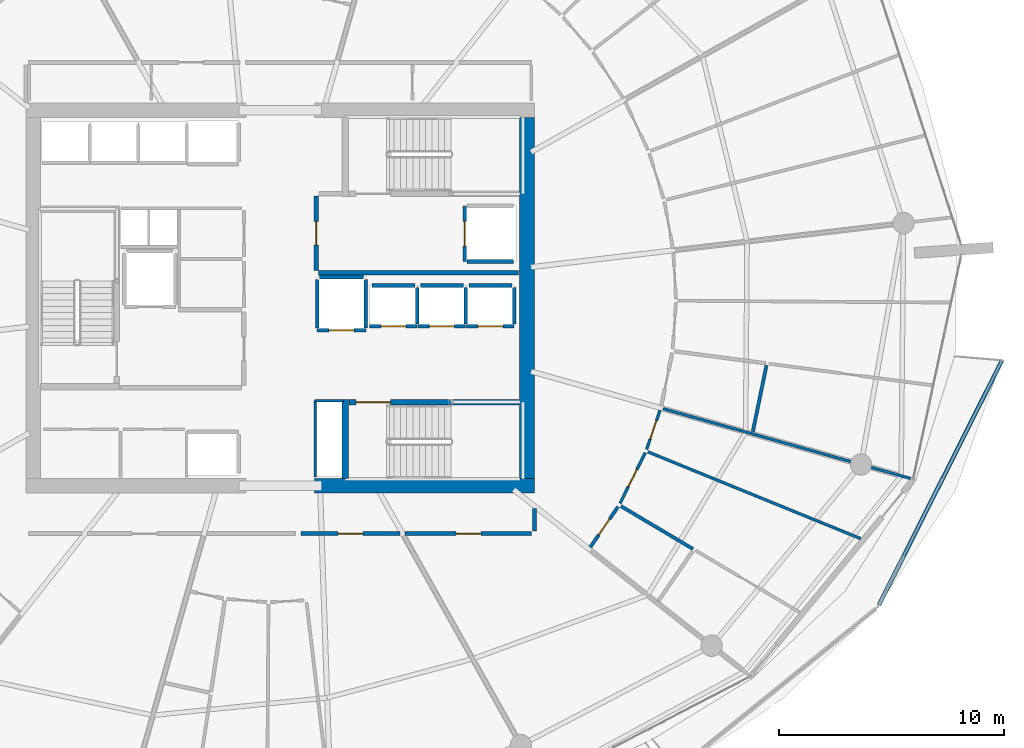
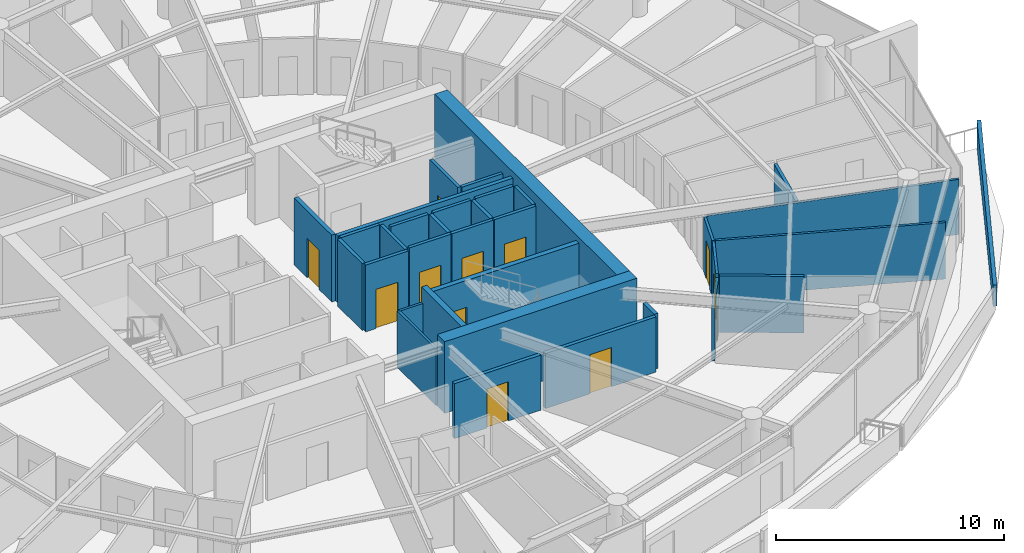
# One storey, part 20 of 30: 34 walls, 12 doors, 12 openings.
"""IFC4 building model written with IfcOpenShell, lengths in metres."""

import ifcopenshell
import ifcopenshell.guid

model = None  # the IFC model being written
_history = None  # IfcOwnerHistory: only IFC2X3 demands one
_inside = {}  # id of a spatial element -> (the spatial element, [elements in it])
_under = {}  # id of a project, library or spatial element -> (it, [spatial elements below it])
_declared = {}  # id of a project -> (the project, [libraries it declares])
_typed = {}  # id of a type object -> (the type object, [elements of that type])
_made_of = {}  # id of a material, layer set ... -> (it, [elements and type objects made of it])


def new_model(schema):
    """Start an empty IFC model of exactly this schema.

    Asked for "IFC4X3", IfcOpenShell would pick the latest addendum, in which some entities
    have other attributes; the version numbers below select the first issue.
    IFC2X3 requires an IfcOwnerHistory on every rooted entity: one is made here for all.
    """
    global model, _history
    if schema == "IFC4X3":
        model = ifcopenshell.file(schema_version=(4, 3, 0, 0))
    else:
        model = ifcopenshell.file(schema=schema)
    _inside.clear()
    _under.clear()
    _declared.clear()
    _typed.clear()
    _made_of.clear()
    _history = None
    if model.schema == "IFC2X3":
        org = make("IfcOrganization", Name="unknown")
        user = make(
            "IfcPersonAndOrganization",
            ThePerson=make("IfcPerson", FamilyName="unknown"),
            TheOrganization=org,
        )
        app = make(
            "IfcApplication",
            ApplicationDeveloper=org,
            Version="unknown",
            ApplicationFullName="unknown",
            ApplicationIdentifier="unknown",
        )
        _history = make(
            "IfcOwnerHistory",
            OwningUser=user,
            OwningApplication=app,
            ChangeAction="ADDED",
            CreationDate=0,
        )
    return model


def make(cls, **values):
    """One entity of the class cls with the attributes given. An attribute that is None is left unset."""
    return model.create_entity(
        cls, **{name: value for name, value in values.items() if value is not None}
    )


def rooted(cls, **values):
    """An entity with a GlobalId (a new one), such as an element, a storey or a relation."""
    return make(cls, GlobalId=ifcopenshell.guid.new(), OwnerHistory=_history, **values)


def si_unit(unit_type, name, prefix=None):
    """IfcSIUnit, for example si_unit("LENGTHUNIT", "METRE", prefix="MILLI")."""
    return make("IfcSIUnit", UnitType=unit_type, Prefix=prefix, Name=name)


def assignment(units):
    """IfcUnitAssignment: the units of a project."""
    return None if units is None else make("IfcUnitAssignment", Units=units)


def point(xyz):
    """IfcCartesianPoint."""
    return None if xyz is None else make("IfcCartesianPoint", Coordinates=xyz)


def direction(xyz):
    """IfcDirection."""
    return None if xyz is None else make("IfcDirection", DirectionRatios=xyz)


def frame(location, z_axis=None, x_axis=None):
    """IfcAxis2Placement3D, a coordinate frame: its origin and axes. An axis left out is left unset."""
    return make(
        "IfcAxis2Placement3D",
        Location=point(location),
        Axis=direction(z_axis),
        RefDirection=direction(x_axis),
    )


def frame_2d(location, x_axis=None):
    """IfcAxis2Placement2D, a coordinate frame in the plane: its origin and x axis."""
    return make(
        "IfcAxis2Placement2D", Location=point(location), RefDirection=direction(x_axis)
    )


def origin():
    """The frame at (0, 0, 0) with its axes left unset."""
    return frame((0.0, 0.0, 0.0))


def place(relative_to, where):
    """IfcLocalPlacement: puts the frame where relative to a parent placement (None: the world)."""
    return make(
        "IfcLocalPlacement", PlacementRelTo=relative_to, RelativePlacement=where
    )


def context(
    kind, dimensions, precision=None, world=None, true_north=None, identifier=None
):
    """IfcGeometricRepresentationContext, for example the 3D "Model" context."""
    return make(
        "IfcGeometricRepresentationContext",
        ContextIdentifier=identifier,
        ContextType=kind,
        CoordinateSpaceDimension=dimensions,
        Precision=precision,
        WorldCoordinateSystem=world,
        TrueNorth=true_north,
    )


def subcontext(parent, identifier, kind, view, scale=None):
    """IfcGeometricRepresentationSubContext, for example "Body" below "Model"."""
    return make(
        "IfcGeometricRepresentationSubContext",
        ContextIdentifier=identifier,
        ContextType=kind,
        ParentContext=parent,
        TargetScale=scale,
        TargetView=view,
    )


def project(units=None, contexts=None):
    """IfcProject with its units and contexts."""
    return rooted(
        "IfcProject",
        Name="project",
        RepresentationContexts=contexts,
        UnitsInContext=assignment(units),
    )


def spatial(cls, under=None, at=None, **own):
    """A site, building, storey or space (cls), placed at a placement, below another one or the project."""
    s = rooted(cls, ObjectPlacement=at, **own)
    if under is not None:
        _under.setdefault(under.id(), (under, []))[1].append(s)
    return s


def polyline(points):
    """IfcPolyline through the points."""
    return make("IfcPolyline", Points=[point(p) for p in points])


def profile(cls, at=None, kind="AREA", **sizes):
    """A parametric profile (cls). Its sizes go by their IFC names, for example OverallWidth=200.0."""
    return make(cls, ProfileType=kind, Position=at, **sizes)


def rectangle(**sizes):
    """IfcRectangleProfileDef."""
    return profile("IfcRectangleProfileDef", **sizes)


def outline(outer, holes=None, kind="AREA"):
    """IfcArbitraryClosedProfileDef: a profile drawn as a closed curve; with holes, ...WithVoids."""
    if holes is None:
        return make("IfcArbitraryClosedProfileDef", ProfileType=kind, OuterCurve=outer)
    return make(
        "IfcArbitraryProfileDefWithVoids",
        ProfileType=kind,
        OuterCurve=outer,
        InnerCurves=holes,
    )


def extrude(swept, where, along, depth):
    """IfcExtrudedAreaSolid: the profile swept, set in the frame where, extruded along a direction by depth."""
    return make(
        "IfcExtrudedAreaSolid",
        SweptArea=swept,
        Position=where,
        ExtrudedDirection=direction(along),
        Depth=depth,
    )


def shape(context_of_items, identifier, shape_type, items):
    """IfcShapeRepresentation: the items that make up one representation, for example the "Body"."""
    return make(
        "IfcShapeRepresentation",
        ContextOfItems=context_of_items,
        RepresentationIdentifier=identifier,
        RepresentationType=shape_type,
        Items=items,
    )


def material(Name=None, Category=None):
    """IfcMaterial."""
    return make("IfcMaterial", Name=Name, Category=Category)


def layer(
    of_material, thickness, ventilated=None, Name=None, Category=None, Priority=None
):
    """IfcMaterialLayer: one layer of a wall or slab, of a material (None: an air gap)."""
    return make(
        "IfcMaterialLayer",
        Material=of_material,
        LayerThickness=thickness,
        IsVentilated=ventilated,
        Name=Name,
        Category=Category,
        Priority=Priority,
    )


def layer_set(layers, Name=None):
    """IfcMaterialLayerSet."""
    return make("IfcMaterialLayerSet", MaterialLayers=layers, LayerSetName=Name)


def made_of(thing, what):
    """Note that an element or type object is made of a material, layer set ...; save() writes the relation."""
    if what is not None:
        _made_of.setdefault(what.id(), (what, []))[1].append(thing)
    return thing


def type_object(cls, material=None, **own):
    """A type object (cls), such as IfcWallType, which elements share."""
    return made_of(rooted(cls, **own), material)


def element(
    cls,
    number,
    at=None,
    inside=None,
    cuts=None,
    type_object=None,
    material=None,
    context=None,
    identifier="Body",
    shape_type=None,
    held_by="IfcProductDefinitionShape",
    body=None,
    shapes=None,
    **own,
):
    """One element of the class cls, such as IfcWall. Its Tag is "e" and its number.

    at: its placement. inside: the storey or other place that contains it. cuts: it is an
    opening in that element (IfcRelVoidsElement). A single representation is given by context,
    identifier, shape_type and body (its items); several are given by shapes. held_by: the class
    of the entity that holds the representations. save() writes the other relations.
    """
    e = rooted(cls, Tag="e%d" % number, ObjectPlacement=at, **own)
    if body is not None:
        shapes = [shape(context, identifier, shape_type, body)]
    if shapes is not None:
        e.Representation = make(held_by, Representations=shapes)
    if inside is not None:
        _inside.setdefault(inside.id(), (inside, []))[1].append(e)
    if cuts is not None:
        rooted(
            "IfcRelVoidsElement", RelatingBuildingElement=cuts, RelatedOpeningElement=e
        )
    if type_object is not None:
        _typed.setdefault(type_object.id(), (type_object, []))[1].append(e)
    return made_of(e, material)


def fill(opening, filler):
    """IfcRelFillsElement: the door or window that sits in an opening."""
    return rooted(
        "IfcRelFillsElement",
        RelatingOpeningElement=opening,
        RelatedBuildingElement=filler,
    )


def aggregate(whole, parts):
    """IfcRelAggregates: a whole, such as a stair, and the parts it consists of."""
    return rooted("IfcRelAggregates", RelatingObject=whole, RelatedObjects=parts)


def save(model, path):
    """Write the relations noted so far, then the file.

    IfcRelAggregates (storeys below a building ...), IfcRelContainedInSpatialStructure (elements
    in a storey), IfcRelDefinesByType, IfcRelAssociatesMaterial and IfcRelDeclares: one each for
    every whole, place, type object, material and project.
    """
    for whole, parts in _under.values():
        aggregate(whole, parts)
    for where, things in _inside.values():
        rooted(
            "IfcRelContainedInSpatialStructure",
            RelatedElements=things,
            RelatingStructure=where,
        )
    for kind, things in _typed.values():
        rooted("IfcRelDefinesByType", RelatedObjects=things, RelatingType=kind)
    for what, things in _made_of.values():
        rooted("IfcRelAssociatesMaterial", RelatedObjects=things, RelatingMaterial=what)
    for by, libraries in _declared.values():
        rooted("IfcRelDeclares", RelatingContext=by, RelatedDefinitions=libraries)
    model.write(path)


model = new_model("IFC4")

# Units and contexts
model_context = context("Model", 3, precision=1e-05, world=origin(), true_north=direction((0.0, 1.0)))
body_context = subcontext(model_context, "Body", "Model", "MODEL_VIEW")
ifc_project = project(units=[si_unit("LENGTHUNIT", "METRE"), si_unit("AREAUNIT", "SQUARE_METRE"), si_unit("VOLUMEUNIT", "CUBIC_METRE"), si_unit("PLANEANGLEUNIT", "RADIAN"), si_unit("MASSUNIT", "GRAM", prefix="KILO")], contexts=[model_context])

# Site, building, storey
site_placement = place(None, origin())
site = spatial("IfcSite", under=ifc_project, at=site_placement, CompositionType="ELEMENT")
building_placement = place(site_placement, origin())
building = spatial("IfcBuilding", under=site, at=building_placement, Name="Kazma Halo Residences", CompositionType="ELEMENT")
storey_placement = place(building_placement, frame((0.0, 0.0, 236.699951171875)))
storey = spatial("IfcBuildingStorey", under=building, at=storey_placement, Name="L59", CompositionType="ELEMENT", Elevation=236.699951171875)

# Walls
ifc_material_1 = material(Name="White Concrete C50/60 Balustrade", Category="concrete")
ifc_layer_1 = layer(ifc_material_1, 0.179931640625)
ifc_layer_set_1 = layer_set([ifc_layer_1], Name="White Concrete C50/60 Balustrade")
wall_type_1 = type_object("IfcWallType", Name="WL-BAL-WAVE-180", PredefinedType="PARAPET", material=ifc_layer_set_1)
wall_1_placement = place(storey_placement, frame((74.99072265625, 28.382080078125, 0.0), z_axis=(0.0, 0.0, 1.0), x_axis=(0.449276289184, 0.893392867655, 0.0)))
element("IfcWall", 1, at=wall_1_placement, inside=storey, type_object=wall_type_1, Name="L59 white wave balustrade wall SE.2", PredefinedType="PARAPET", context=body_context, shape_type="SweptSolid", body=[
    extrude(outline(polyline([(0.0, 0.0), (12.160400390625, 0.0), (12.160400390625, 1.483154296875), (6.080078125, 1.283935546875), (0.0, 1.14794921875), (0.0, 0.0)])), frame((0.0, 0.08984375, 0.0), z_axis=(0.0, -1.0, 0.0), x_axis=(1.0, 0.0, 0.0)), (0.0, 0.0, 1.0), 0.179931640625),
])
ifc_material_2 = material(Name="Concrete C60/75", Category="concrete")
ifc_layer_2 = layer(ifc_material_2, 0.64990234375)
ifc_layer_set_2 = layer_set([ifc_layer_2], Name="Concrete C60/75")
wall_type_2 = type_object("IfcWallType", Name="WL-CORE-650", PredefinedType="SHEAR", material=ifc_layer_set_2)
wall_2_placement = place(storey_placement, frame((49.949951171875, 33.675048828125, 0.0), z_axis=(0.0, 0.0, 1.0), x_axis=(1.0, 0.0, 0.0)))
element("IfcWall", 2, at=wall_2_placement, inside=storey, type_object=wall_type_2, Name="L59 central core shear wall SE", PredefinedType="SHEAR", context=body_context, shape_type="SweptSolid", body=[
    extrude(rectangle(XDim=9.75, YDim=0.64990234375, at=frame_2d((4.875, 0.0))), origin(), (0.0, 0.0, 1.0), 3.85009765625),
])
wall_3_placement = place(storey_placement, frame((59.375, 34.0, 0.0), z_axis=(0.0, 0.0, 1.0), x_axis=(0.0, 1.0, 0.0)))
element("IfcWall", 3, at=wall_3_placement, inside=storey, type_object=wall_type_2, Name="L59 central core shear wall E", PredefinedType="SHEAR", context=body_context, shape_type="SweptSolid", body=[
    extrude(rectangle(XDim=16.0, YDim=0.64990234375, at=frame_2d((8.0, 0.0))), origin(), (0.0, 0.0, 1.0), 3.85009765625),
])
ifc_layer_3 = layer(ifc_material_2, 0.280029296875)
ifc_layer_set_3 = layer_set([ifc_layer_3], Name="Concrete C60/75")
wall_type_3 = type_object("IfcWallType", Name="WL-CORE-ST-280", PredefinedType="SHEAR", material=ifc_layer_set_3)
wall_4_placement = place(storey_placement, frame((51.31005859375, 34.0, 0.0), z_axis=(0.0, 0.0, 1.0), x_axis=(0.0, 1.0, 0.0)))
element("IfcWall", 4, at=wall_4_placement, inside=storey, type_object=wall_type_3, Name="L59 stairwell bearing wall ST03-W", PredefinedType="SHEAR", context=body_context, shape_type="SweptSolid", body=[
    extrude(rectangle(XDim=3.5, YDim=0.280029296875, at=frame_2d((1.75, 0.0))), origin(), (0.0, 0.0, 1.0), 3.85009765625),
])

# Wall, opening, door
ifc_material_3 = material(Name="Acoustic Twin-Stud Gypsum")
ifc_layer_4 = layer(ifc_material_3, 0.179931640625)
ifc_layer_set_4 = layer_set([ifc_layer_4], Name="Acoustic Twin-Stud Gypsum")
wall_type_4 = type_object("IfcWallType", Name="WL-DEM-180", PredefinedType="PARTITIONING", material=ifc_layer_set_4)
wall_5_placement = place(storey_placement, frame((49.356689453125, 31.550048828125, 0.0), z_axis=(0.0, 0.0, 1.0), x_axis=(1.0, 0.0, 0.0)))
wall_5 = element("IfcWall", 5, at=wall_5_placement, inside=storey, type_object=wall_type_4, Name="L59 Apartment 3 entrance corridor wall", PredefinedType="PARTITIONING", context=body_context, shape_type="SweptSolid", body=[
    extrude(rectangle(XDim=4.375732421875, YDim=0.179931640625, at=frame_2d((2.18798828125, 0.0))), origin(), (0.0, 0.0, 1.0), 2.95703125),
])
opening_1_placement = place(wall_5_placement, frame((1.6376953125, 0.0, 0.0)))
opening_1 = element("IfcOpeningElement", 6, at=opening_1_placement, cuts=wall_5, Name="Opening DA-1100", PredefinedType="OPENING", context=body_context, shape_type="SweptSolid", body=[
    extrude(rectangle(XDim=1.10009765625, YDim=2.10009765625, at=frame_2d((0.550048828125, 1.050048828125))), frame((0.0, 0.099853515625, 0.0), z_axis=(0.0, -1.0, 0.0), x_axis=(1.0, 0.0, 0.0)), (0.0, 0.0, 1.0), 0.199951171875),
])
ifc_material_4 = material(Name="Acoustic Walnut Fire Leaf")
door_type_1 = type_object("IfcDoorType", Name="DR-FD60-1100", OperationType="NOTDEFINED", PredefinedType="DOOR", material=ifc_material_4)
door_1_placement = place(opening_1_placement, origin())
door_1 = element("IfcDoor", 7, at=door_1_placement, inside=storey, type_object=door_type_1, Name="L59 Apartment 3 entrance fire door", OperationType="SINGLE_SWING_LEFT", OverallHeight=2.10009765625, OverallWidth=1.10009765625, PredefinedType="DOOR", context=body_context, shape_type="SweptSolid", body=[
    extrude(rectangle(XDim=1.10009765625, YDim=2.10009765625, at=frame_2d((0.550048828125, 1.050048828125))), frame((0.0, 0.02490234375, 0.0), z_axis=(0.0, -1.0, 0.0), x_axis=(1.0, 0.0, 0.0)), (0.0, 0.0, 1.0), 0.050048828125),
])
fill(opening_1, door_1)

wall_6_placement = place(storey_placement, frame((53.972412109375, 31.550048828125, 0.0), z_axis=(0.0, 0.0, 1.0), x_axis=(1.0, 0.0, 0.0)))
wall_6 = element("IfcWall", 8, at=wall_6_placement, inside=storey, type_object=wall_type_4, Name="L59 Apartment 4 entrance corridor wall", PredefinedType="PARTITIONING", context=body_context, shape_type="SweptSolid", body=[
    extrude(rectangle(XDim=5.607666015625, YDim=0.179931640625, at=frame_2d((2.8037109375, 0.0))), origin(), (0.0, 0.0, 1.0), 2.95703125),
])
opening_2_placement = place(wall_6_placement, frame((2.25390625, 0.0, 0.0)))
opening_2 = element("IfcOpeningElement", 9, at=opening_2_placement, cuts=wall_6, Name="Opening DA-1100", PredefinedType="OPENING", context=body_context, shape_type="SweptSolid", body=[
    extrude(rectangle(XDim=1.10009765625, YDim=2.10009765625, at=frame_2d((0.550048828125, 1.050048828125))), frame((0.0, 0.099853515625, 0.0), z_axis=(0.0, -1.0, 0.0), x_axis=(1.0, 0.0, 0.0)), (0.0, 0.0, 1.0), 0.199951171875),
])
door_2_placement = place(opening_2_placement, origin())
door_2 = element("IfcDoor", 10, at=door_2_placement, inside=storey, type_object=door_type_1, Name="L59 Apartment 4 entrance fire door", OperationType="SINGLE_SWING_RIGHT", OverallHeight=2.10009765625, OverallWidth=1.10009765625, PredefinedType="DOOR", context=body_context, shape_type="SweptSolid", body=[
    extrude(rectangle(XDim=1.10009765625, YDim=2.10009765625, at=frame_2d((0.550048828125, 1.050048828125))), frame((0.0, 0.02490234375, 0.0), z_axis=(0.0, -1.0, 0.0), x_axis=(1.0, 0.0, 0.0)), (0.0, 0.0, 1.0), 0.050048828125),
])
fill(opening_2, door_2)

# Wall
wall_7_placement = place(storey_placement, frame((59.699951171875, 31.669921875, 0.0), z_axis=(0.0, 0.0, 1.0), x_axis=(0.0, 1.0, 0.0)))
element("IfcWall", 11, at=wall_7_placement, inside=storey, type_object=wall_type_4, Name="L59 Apartment 4 entrance corridor wall", PredefinedType="PARTITIONING", context=body_context, shape_type="SweptSolid", body=[
    extrude(rectangle(XDim=0.986572265625, YDim=0.179931640625, at=frame_2d((0.4931640625, 0.0))), origin(), (0.0, 0.0, 1.0), 2.95703125),
])

# Wall, opening, door
ifc_material_5 = material(Name="Fire-Rated Blockwork Masonry", Category="masonry")
ifc_layer_5 = layer(ifc_material_5, 0.199951171875)
ifc_layer_set_5 = layer_set([ifc_layer_5], Name="Fire-Rated Blockwork Masonry")
wall_type_5 = type_object("IfcWallType", Name="WL-FLB-200", PredefinedType="PARTITIONING", material=ifc_layer_set_5)
wall_8_placement = place(storey_placement, frame((54.5048828125, 40.7451171875, 0.0), z_axis=(0.0, 0.0, 1.0), x_axis=(-1.0, 0.0, 0.0)))
wall_8 = element("IfcWall", 12, at=wall_8_placement, inside=storey, type_object=wall_type_5, Name="L59 lift shaft PH-01 front wall", PredefinedType="PARTITIONING", context=body_context, shape_type="SweptSolid", body=[
    extrude(rectangle(XDim=2.10986328125, YDim=0.159912109375, at=frame_2d((1.054931640625, 0.0))), origin(), (0.0, 0.0, 1.0), 3.590087890625),
])
opening_3_placement = place(wall_8_placement, frame((0.5048828125, 0.0, 0.0)))
opening_3 = element("IfcOpeningElement", 13, at=opening_3_placement, cuts=wall_8, Name="Opening LD-PH-01", PredefinedType="OPENING", context=body_context, shape_type="SweptSolid", body=[
    extrude(rectangle(XDim=1.10009765625, YDim=2.10009765625, at=frame_2d((0.550048828125, 1.050048828125))), frame((0.0, 0.08984375, 0.0), z_axis=(0.0, -1.0, 0.0), x_axis=(1.0, 0.0, 0.0)), (0.0, 0.0, 1.0), 0.179931640625),
])
ifc_material_6 = material(Name="Stainless Steel Fire-Rated", Category="steel")
door_type_2 = type_object("IfcDoorType", Name="DR-LIFT-SLD-1100", OperationType="DOUBLE_DOOR_SLIDING", PredefinedType="DOOR", material=ifc_material_6)
door_3_placement = place(opening_3_placement, origin())
door_3 = element("IfcDoor", 14, at=door_3_placement, inside=storey, type_object=door_type_2, Name="L59 lift PH-01 sliding landing door", OperationType="DOUBLE_DOOR_SLIDING", OverallHeight=2.10009765625, OverallWidth=1.10009765625, PredefinedType="DOOR", context=body_context, shape_type="SweptSolid", body=[
    extrude(rectangle(XDim=1.10009765625, YDim=2.10009765625, at=frame_2d((0.550048828125, 1.050048828125))), frame((0.0, 0.02490234375, 0.0), z_axis=(0.0, -1.0, 0.0), x_axis=(1.0, 0.0, 0.0)), (0.0, 0.0, 1.0), 0.050048828125),
])
fill(opening_3, door_3)

# Walls
wall_9_placement = place(storey_placement, frame((54.5048828125, 40.844970703125, 0.0), z_axis=(0.0, 0.0, 1.0), x_axis=(0.0, 1.0, 0.0)))
element("IfcWall", 15, at=wall_9_placement, inside=storey, type_object=wall_type_5, Name="L59 lift shaft PH-01 side wall E", PredefinedType="PARTITIONING", context=body_context, shape_type="SweptSolid", body=[
    extrude(rectangle(XDim=1.610107421875, YDim=0.159912109375, at=frame_2d((0.80517578125, 0.0))), origin(), (0.0, 0.0, 1.0), 3.590087890625),
])
wall_10_placement = place(storey_placement, frame((52.4951171875, 42.554931640625, 0.0), z_axis=(0.0, 0.0, 1.0), x_axis=(1.0, 0.0, 0.0)))
element("IfcWall", 16, at=wall_10_placement, inside=storey, type_object=wall_type_5, Name="L59 lift shaft PH-01 side wall N", PredefinedType="PARTITIONING", context=body_context, shape_type="SweptSolid", body=[
    extrude(rectangle(XDim=1.909912109375, YDim=0.159912109375, at=frame_2d((0.955078125, 0.0))), origin(), (0.0, 0.0, 1.0), 3.590087890625),
])

# Wall, opening, door
wall_11_placement = place(storey_placement, frame((56.655029296875, 40.7451171875, 0.0), z_axis=(0.0, 0.0, 1.0), x_axis=(-1.0, 0.0, 0.0)))
wall_11 = element("IfcWall", 17, at=wall_11_placement, inside=storey, type_object=wall_type_5, Name="L59 lift shaft PH-02 front wall", PredefinedType="PARTITIONING", context=body_context, shape_type="SweptSolid", body=[
    extrude(rectangle(XDim=2.110107421875, YDim=0.159912109375, at=frame_2d((1.05517578125, 0.0))), origin(), (0.0, 0.0, 1.0), 3.590087890625),
])
opening_4_placement = place(wall_11_placement, frame((0.5048828125, 0.0, 0.0)))
opening_4 = element("IfcOpeningElement", 18, at=opening_4_placement, cuts=wall_11, Name="Opening LD-PH-02", PredefinedType="OPENING", context=body_context, shape_type="SweptSolid", body=[
    extrude(rectangle(XDim=1.10009765625, YDim=2.10009765625, at=frame_2d((0.550048828125, 1.050048828125))), frame((0.0, 0.08984375, 0.0), z_axis=(0.0, -1.0, 0.0), x_axis=(1.0, 0.0, 0.0)), (0.0, 0.0, 1.0), 0.179931640625),
])
door_4_placement = place(opening_4_placement, origin())
door_4 = element("IfcDoor", 19, at=door_4_placement, inside=storey, type_object=door_type_2, Name="L59 lift PH-02 sliding landing door", OperationType="DOUBLE_DOOR_SLIDING", OverallHeight=2.10009765625, OverallWidth=1.10009765625, PredefinedType="DOOR", context=body_context, shape_type="SweptSolid", body=[
    extrude(rectangle(XDim=1.10009765625, YDim=2.10009765625, at=frame_2d((0.550048828125, 1.050048828125))), frame((0.0, 0.02490234375, 0.0), z_axis=(0.0, -1.0, 0.0), x_axis=(1.0, 0.0, 0.0)), (0.0, 0.0, 1.0), 0.050048828125),
])
fill(opening_4, door_4)

# Walls
wall_12_placement = place(storey_placement, frame((56.655029296875, 40.844970703125, 0.0), z_axis=(0.0, 0.0, 1.0), x_axis=(0.0, 1.0, 0.0)))
element("IfcWall", 20, at=wall_12_placement, inside=storey, type_object=wall_type_5, Name="L59 lift shaft PH-02 side wall E", PredefinedType="PARTITIONING", context=body_context, shape_type="SweptSolid", body=[
    extrude(rectangle(XDim=1.610107421875, YDim=0.159912109375, at=frame_2d((0.80517578125, 0.0))), origin(), (0.0, 0.0, 1.0), 3.590087890625),
])
wall_13_placement = place(storey_placement, frame((54.64501953125, 42.554931640625, 0.0), z_axis=(0.0, 0.0, 1.0), x_axis=(1.0, 0.0, 0.0)))
element("IfcWall", 21, at=wall_13_placement, inside=storey, type_object=wall_type_5, Name="L59 lift shaft PH-02 side wall N", PredefinedType="PARTITIONING", context=body_context, shape_type="SweptSolid", body=[
    extrude(rectangle(XDim=1.909912109375, YDim=0.159912109375, at=frame_2d((0.955078125, 0.0))), origin(), (0.0, 0.0, 1.0), 3.590087890625),
])

# Wall, opening, door
wall_14_placement = place(storey_placement, frame((58.804931640625, 40.7451171875, 0.0), z_axis=(0.0, 0.0, 1.0), x_axis=(-1.0, 0.0, 0.0)))
wall_14 = element("IfcWall", 22, at=wall_14_placement, inside=storey, type_object=wall_type_5, Name="L59 lift shaft PH-03 front wall", PredefinedType="PARTITIONING", context=body_context, shape_type="SweptSolid", body=[
    extrude(rectangle(XDim=2.10986328125, YDim=0.159912109375, at=frame_2d((1.054931640625, 0.0))), origin(), (0.0, 0.0, 1.0), 3.590087890625),
])
opening_5_placement = place(wall_14_placement, frame((0.5048828125, 0.0, 0.0)))
opening_5 = element("IfcOpeningElement", 23, at=opening_5_placement, cuts=wall_14, Name="Opening LD-PH-03", PredefinedType="OPENING", context=body_context, shape_type="SweptSolid", body=[
    extrude(rectangle(XDim=1.10009765625, YDim=2.10009765625, at=frame_2d((0.550048828125, 1.050048828125))), frame((0.0, 0.08984375, 0.0), z_axis=(0.0, -1.0, 0.0), x_axis=(1.0, 0.0, 0.0)), (0.0, 0.0, 1.0), 0.179931640625),
])
door_5_placement = place(opening_5_placement, origin())
door_5 = element("IfcDoor", 24, at=door_5_placement, inside=storey, type_object=door_type_2, Name="L59 lift PH-03 sliding landing door", OperationType="DOUBLE_DOOR_SLIDING", OverallHeight=2.10009765625, OverallWidth=1.10009765625, PredefinedType="DOOR", context=body_context, shape_type="SweptSolid", body=[
    extrude(rectangle(XDim=1.10009765625, YDim=2.10009765625, at=frame_2d((0.550048828125, 1.050048828125))), frame((0.0, 0.02490234375, 0.0), z_axis=(0.0, -1.0, 0.0), x_axis=(1.0, 0.0, 0.0)), (0.0, 0.0, 1.0), 0.050048828125),
])
fill(opening_5, door_5)

# Walls
wall_15_placement = place(storey_placement, frame((58.804931640625, 40.844970703125, 0.0), z_axis=(0.0, 0.0, 1.0), x_axis=(0.0, 1.0, 0.0)))
element("IfcWall", 25, at=wall_15_placement, inside=storey, type_object=wall_type_5, Name="L59 lift shaft PH-03 side wall E", PredefinedType="PARTITIONING", context=body_context, shape_type="SweptSolid", body=[
    extrude(rectangle(XDim=1.610107421875, YDim=0.159912109375, at=frame_2d((0.80517578125, 0.0))), origin(), (0.0, 0.0, 1.0), 3.590087890625),
])
wall_16_placement = place(storey_placement, frame((56.794921875, 42.554931640625, 0.0), z_axis=(0.0, 0.0, 1.0), x_axis=(1.0, 0.0, 0.0)))
element("IfcWall", 26, at=wall_16_placement, inside=storey, type_object=wall_type_5, Name="L59 lift shaft PH-03 side wall N", PredefinedType="PARTITIONING", context=body_context, shape_type="SweptSolid", body=[
    extrude(rectangle(XDim=1.91015625, YDim=0.159912109375, at=frame_2d((0.955078125, 0.0))), origin(), (0.0, 0.0, 1.0), 3.590087890625),
])

# Wall, opening, door
wall_17_placement = place(storey_placement, frame((56.6201171875, 46.080078125, 0.0), z_axis=(0.0, 0.0, 1.0), x_axis=(0.0, -1.0, 0.0)))
wall_17 = element("IfcWall", 27, at=wall_17_placement, inside=storey, type_object=wall_type_5, Name="L59 lift shaft FL-02 front wall", PredefinedType="PARTITIONING", context=body_context, shape_type="SweptSolid", body=[
    extrude(rectangle(XDim=2.4599609375, YDim=0.159912109375, at=frame_2d((1.22998046875, 0.0))), origin(), (0.0, 0.0, 1.0), 3.590087890625),
])
opening_6_placement = place(wall_17_placement, frame((0.679931640625, 0.0, 0.0)))
opening_6 = element("IfcOpeningElement", 28, at=opening_6_placement, cuts=wall_17, Name="Opening LD-FL-02", PredefinedType="OPENING", context=body_context, shape_type="SweptSolid", body=[
    extrude(rectangle(XDim=1.10009765625, YDim=2.10009765625, at=frame_2d((0.550048828125, 1.050048828125))), frame((0.0, 0.08984375, 0.0), z_axis=(0.0, -1.0, 0.0), x_axis=(1.0, 0.0, 0.0)), (0.0, 0.0, 1.0), 0.179931640625),
])
door_6_placement = place(opening_6_placement, origin())
door_6 = element("IfcDoor", 29, at=door_6_placement, inside=storey, type_object=door_type_2, Name="L59 lift FL-02 sliding landing door", OperationType="DOUBLE_DOOR_SLIDING", OverallHeight=2.10009765625, OverallWidth=1.10009765625, PredefinedType="DOOR", context=body_context, shape_type="SweptSolid", body=[
    extrude(rectangle(XDim=1.10009765625, YDim=2.10009765625, at=frame_2d((0.550048828125, 1.050048828125))), frame((0.0, 0.02490234375, 0.0), z_axis=(0.0, -1.0, 0.0), x_axis=(1.0, 0.0, 0.0)), (0.0, 0.0, 1.0), 0.050048828125),
])
fill(opening_6, door_6)

# Wall
wall_18_placement = place(storey_placement, frame((56.719970703125, 43.6201171875, 0.0), z_axis=(0.0, 0.0, 1.0), x_axis=(1.0, 0.0, 0.0)))
element("IfcWall", 30, at=wall_18_placement, inside=storey, type_object=wall_type_5, Name="L59 lift shaft FL-02 side wall S", PredefinedType="PARTITIONING", context=body_context, shape_type="SweptSolid", body=[
    extrude(rectangle(XDim=2.06005859375, YDim=0.159912109375, at=frame_2d((1.030029296875, 0.0))), origin(), (0.0, 0.0, 1.0), 3.590087890625),
])

# Wall, opening, door
wall_19_placement = place(storey_placement, frame((52.22998046875, 40.570068359375, 0.0), z_axis=(0.0, 0.0, 1.0), x_axis=(-1.0, 0.0, 0.0)))
wall_19 = element("IfcWall", 31, at=wall_19_placement, inside=storey, type_object=wall_type_5, Name="L59 lift shaft SV-01 front wall", PredefinedType="PARTITIONING", context=body_context, shape_type="SweptSolid", body=[
    extrude(rectangle(XDim=2.159912109375, YDim=0.159912109375, at=frame_2d((1.080078125, 0.0))), origin(), (0.0, 0.0, 1.0), 3.590087890625),
])
opening_7_placement = place(wall_19_placement, frame((0.530029296875, 0.0, 0.0)))
opening_7 = element("IfcOpeningElement", 32, at=opening_7_placement, cuts=wall_19, Name="Opening LD-SV-01", PredefinedType="OPENING", context=body_context, shape_type="SweptSolid", body=[
    extrude(rectangle(XDim=1.10009765625, YDim=2.10009765625, at=frame_2d((0.550048828125, 1.050048828125))), frame((0.0, 0.08984375, 0.0), z_axis=(0.0, -1.0, 0.0), x_axis=(1.0, 0.0, 0.0)), (0.0, 0.0, 1.0), 0.179931640625),
])
door_7_placement = place(opening_7_placement, origin())
door_7 = element("IfcDoor", 33, at=door_7_placement, inside=storey, type_object=door_type_2, Name="L59 lift SV-01 sliding landing door", OperationType="DOUBLE_DOOR_SLIDING", OverallHeight=2.10009765625, OverallWidth=1.10009765625, PredefinedType="DOOR", context=body_context, shape_type="SweptSolid", body=[
    extrude(rectangle(XDim=1.10009765625, YDim=2.10009765625, at=frame_2d((0.550048828125, 1.050048828125))), frame((0.0, 0.02490234375, 0.0), z_axis=(0.0, -1.0, 0.0), x_axis=(1.0, 0.0, 0.0)), (0.0, 0.0, 1.0), 0.050048828125),
])
fill(opening_7, door_7)

# Walls
for number, where, z_axis, x_axis, name in (
    (34, (52.22998046875, 40.669921875, 0.0), (0.0, 0.0, 1.0), (0.0, 1.0, 0.0), "L59 lift shaft SV-01 side wall E"),
    (35, (50.070068359375, 40.669921875, 0.0), (0.0, 0.0, 1.0), (0.0, 1.0, 0.0), "L59 lift shaft SV-01 side wall W"),
):
    element("IfcWall", number, at=place(storey_placement, frame(where, z_axis=z_axis, x_axis=x_axis)), inside=storey, type_object=wall_type_5, Name=name, PredefinedType="PARTITIONING", context=body_context, shape_type="SweptSolid", body=[
        extrude(rectangle(XDim=2.16015625, YDim=0.159912109375, at=frame_2d((1.080078125, 0.0))), origin(), (0.0, 0.0, 1.0), 3.590087890625),
    ])
wall_20_placement = place(storey_placement, frame((50.169921875, 42.929931640625, 0.0), z_axis=(0.0, 0.0, 1.0), x_axis=(1.0, 0.0, 0.0)))
element("IfcWall", 36, at=wall_20_placement, inside=storey, type_object=wall_type_5, Name="L59 lift shaft SV-01 side wall N", PredefinedType="PARTITIONING", context=body_context, shape_type="SweptSolid", body=[
    extrude(rectangle(XDim=1.9599609375, YDim=0.159912109375, at=frame_2d((0.97998046875, 0.0))), origin(), (0.0, 0.0, 1.0), 3.590087890625),
])
wall_21_placement = place(storey_placement, frame((50.1201171875, 43.1201171875, 0.0), z_axis=(0.0, 0.0, 1.0), x_axis=(1.0, 0.0, 0.0)))
element("IfcWall", 37, at=wall_21_placement, inside=storey, type_object=wall_type_5, Name="L59 east firefighting lobby south smoke wall", PredefinedType="PARTITIONING", context=body_context, shape_type="SweptSolid", body=[
    extrude(rectangle(XDim=8.8798828125, YDim=0.199951171875, at=frame_2d((4.43994140625, 0.0))), origin(), (0.0, 0.0, 1.0), 3.590087890625),
])

# Wall, opening, door
wall_22_placement = place(storey_placement, frame((50.02001953125, 43.219970703125, 0.0), z_axis=(0.0, 0.0, 1.0), x_axis=(0.0, 1.0, 0.0)))
wall_22 = element("IfcWall", 38, at=wall_22_placement, inside=storey, type_object=wall_type_5, Name="L59 east firefighting lobby smoke wall", PredefinedType="PARTITIONING", context=body_context, shape_type="SweptSolid", body=[
    extrude(rectangle(XDim=3.300048828125, YDim=0.199951171875, at=frame_2d((1.64990234375, 0.0))), origin(), (0.0, 0.0, 1.0), 3.590087890625),
])
opening_8_placement = place(wall_22_placement, frame((1.125, 0.0, 0.0)))
opening_8 = element("IfcOpeningElement", 39, at=opening_8_placement, cuts=wall_22, Name="Opening D-FLE", PredefinedType="OPENING", context=body_context, shape_type="SweptSolid", body=[
    extrude(rectangle(XDim=1.050048828125, YDim=2.10009765625, at=frame_2d((0.52490234375, 1.050048828125))), frame((0.0, 0.10986328125, 0.0), z_axis=(0.0, -1.0, 0.0), x_axis=(1.0, 0.0, 0.0)), (0.0, 0.0, 1.0), 0.219970703125),
])
ifc_material_7 = material(Name="Fire-Rated Steel Leaf", Category="steel")
door_type_3 = type_object("IfcDoorType", Name="DR-FD90-1050", OperationType="NOTDEFINED", PredefinedType="DOOR", material=ifc_material_7)
door_8_placement = place(opening_8_placement, origin())
door_8 = element("IfcDoor", 40, at=door_8_placement, inside=storey, type_object=door_type_3, Name="L59 east firefighting lobby smoke door", OperationType="SINGLE_SWING_LEFT", OverallHeight=2.10009765625, OverallWidth=1.050048828125, PredefinedType="DOOR", context=body_context, shape_type="SweptSolid", body=[
    extrude(rectangle(XDim=1.050048828125, YDim=2.10009765625, at=frame_2d((0.52490234375, 1.050048828125))), frame((0.0, 0.02490234375, 0.0), z_axis=(0.0, -1.0, 0.0), x_axis=(1.0, 0.0, 0.0)), (0.0, 0.0, 1.0), 0.050048828125),
])
fill(opening_8, door_8)

# Walls
ifc_material_8 = material(Name="Gypsum Plasterboard Partition")
ifc_layer_6 = layer(ifc_material_8, 0.125)
ifc_layer_set_6 = layer_set([ifc_layer_6], Name="Gypsum Plasterboard Partition")
wall_type_6 = type_object("IfcWallType", Name="WL-PART-125", PredefinedType="PARTITIONING", material=ifc_layer_set_6)
wall_23_placement = place(storey_placement, frame((49.97998046875, 34.06005859375, 0.0), z_axis=(0.0, 0.0, 1.0), x_axis=(0.0, 1.0, 0.0)))
element("IfcWall", 41, at=wall_23_placement, inside=storey, type_object=wall_type_6, Name="L59 standpipe riser wall", PredefinedType="PARTITIONING", context=body_context, shape_type="SweptSolid", body=[
    extrude(rectangle(XDim=3.39990234375, YDim=0.125, at=frame_2d((1.699951171875, 0.0))), origin(), (0.0, 0.0, 1.0), 3.030029296875),
])
wall_24_placement = place(storey_placement, frame((49.97998046875, 37.43994140625, 0.0), z_axis=(0.0, 0.0, 1.0), x_axis=(1.0, 0.0, 0.0)))
element("IfcWall", 42, at=wall_24_placement, inside=storey, type_object=wall_type_6, Name="L59 standpipe riser north wall", PredefinedType="PARTITIONING", context=body_context, shape_type="SweptSolid", body=[
    extrude(rectangle(XDim=1.260009765625, YDim=0.125, at=frame_2d((0.6298828125, 0.0))), origin(), (0.0, 0.0, 1.0), 3.030029296875),
])
wall_25_placement = place(storey_placement, frame((64.73876953125, 35.174560546875, 0.0), z_axis=(0.0, 0.0, 1.0), x_axis=(0.925973616351, -0.377588217271, 0.0)))
element("IfcWall", 43, at=wall_25_placement, inside=storey, type_object=wall_type_6, Name="L59 Apartment 4 suite divider 13", PredefinedType="PARTITIONING", context=body_context, shape_type="SweptSolid", body=[
    extrude(rectangle(XDim=10.194580078125, YDim=0.125, at=frame_2d((5.09716796875, 0.0))), origin(), (0.0, 0.0, 1.0), 3.030029296875),
])

# Wall, opening, door
wall_26_placement = place(storey_placement, frame((63.50439453125, 32.89404296875, 0.0), z_axis=(0.0, 0.0, 1.0), x_axis=(0.445302327012, 0.89538027539, 0.0)))
wall_26 = element("IfcWall", 44, at=wall_26_placement, inside=storey, type_object=wall_type_6, Name="L59 Apartment 4 Gourmet Kitchen hall wall", PredefinedType="PARTITIONING", context=body_context, shape_type="SweptSolid", body=[
    extrude(rectangle(XDim=2.5048828125, YDim=0.125, at=frame_2d((1.25244140625, 0.0))), origin(), (0.0, 0.0, 1.0), 3.030029296875),
])
opening_9_placement = place(wall_26_placement, frame((0.827392578125, 0.0, 0.0)))
opening_9 = element("IfcOpeningElement", 45, at=opening_9_placement, cuts=wall_26, Name="Opening DB-900", PredefinedType="OPENING", context=body_context, shape_type="SweptSolid", body=[
    extrude(rectangle(XDim=0.85009765625, YDim=2.06005859375, at=frame_2d((0.425048828125, 1.030029296875))), frame((0.0, 0.072509765625, 0.0), z_axis=(0.0, -1.0, 0.0), x_axis=(1.0, 0.0, 0.0)), (0.0, 0.0, 1.0), 0.14501953125),
])
ifc_material_9 = material(Name="Moisture-Sealed Timber Leaf", Category="wood")
door_type_4 = type_object("IfcDoorType", Name="DR-BTH-900", OperationType="NOTDEFINED", PredefinedType="DOOR", material=ifc_material_9)
door_9_placement = place(opening_9_placement, origin())
door_9 = element("IfcDoor", 46, at=door_9_placement, inside=storey, type_object=door_type_4, Name="L59 Apartment 4 Gourmet Kitchen door", OperationType="SINGLE_SWING_LEFT", OverallHeight=2.06005859375, OverallWidth=0.85009765625, PredefinedType="DOOR", context=body_context, shape_type="SweptSolid", body=[
    extrude(rectangle(XDim=0.85009765625, YDim=2.06005859375, at=frame_2d((0.425048828125, 1.030029296875))), frame((0.0, 0.02490234375, 0.0), z_axis=(0.0, -1.0, 0.0), x_axis=(1.0, 0.0, 0.0)), (0.0, 0.0, 1.0), 0.050048828125),
])
fill(opening_9, door_9)

wall_27_placement = place(storey_placement, frame((64.681396484375, 35.2841796875, 0.0), z_axis=(0.0, 0.0, 1.0), x_axis=(0.325176249169, 0.945653428575, 0.0)))
wall_27 = element("IfcWall", 47, at=wall_27_placement, inside=storey, type_object=wall_type_6, Name="L59 Apartment 4 Primary Bedroom hall wall", PredefinedType="PARTITIONING", context=body_context, shape_type="SweptSolid", body=[
    extrude(rectangle(XDim=1.838623046875, YDim=0.125, at=frame_2d((0.91943359375, 0.0))), origin(), (0.0, 0.0, 1.0), 2.95703125),
])
opening_10_placement = place(wall_27_placement, frame((0.494384765625, 0.0, 0.0)))
opening_10 = element("IfcOpeningElement", 48, at=opening_10_placement, cuts=wall_27, Name="Opening DB-900", PredefinedType="OPENING", context=body_context, shape_type="SweptSolid", body=[
    extrude(rectangle(XDim=0.85009765625, YDim=2.06005859375, at=frame_2d((0.425048828125, 1.030029296875))), frame((0.0, 0.072509765625, 0.0), z_axis=(0.0, -1.0, 0.0), x_axis=(1.0, 0.0, 0.0)), (0.0, 0.0, 1.0), 0.14501953125),
])
door_10_placement = place(opening_10_placement, origin())
door_10 = element("IfcDoor", 49, at=door_10_placement, inside=storey, type_object=door_type_4, Name="L59 Apartment 4 Primary Bedroom door", OperationType="SINGLE_SWING_RIGHT", OverallHeight=2.06005859375, OverallWidth=0.85009765625, PredefinedType="DOOR", context=body_context, shape_type="SweptSolid", body=[
    extrude(rectangle(XDim=0.85009765625, YDim=2.06005859375, at=frame_2d((0.425048828125, 1.030029296875))), frame((0.0, 0.02490234375, 0.0), z_axis=(0.0, -1.0, 0.0), x_axis=(1.0, 0.0, 0.0)), (0.0, 0.0, 1.0), 0.050048828125),
])
fill(opening_10, door_10)

# Wall
wall_28_placement = place(storey_placement, frame((65.407958984375, 37.090576171875, 0.0), z_axis=(0.0, 0.0, 1.0), x_axis=(0.96245110957, -0.271455082266, 0.0)))
element("IfcWall", 50, at=wall_28_placement, inside=storey, type_object=wall_type_6, Name="L59 Apartment 4 radial partition 14", PredefinedType="PARTITIONING", context=body_context, shape_type="SweptSolid", body=[
    extrude(rectangle(XDim=11.40869140625, YDim=0.125, at=frame_2d((5.704345703125, 0.0))), origin(), (0.0, 0.0, 1.0), 2.95703125),
])

# Wall, opening, door
ifc_material_10 = material(Name="Concrete C50/60", Category="concrete")
ifc_layer_7 = layer(ifc_material_10, 0.25)
ifc_layer_set_7 = layer_set([ifc_layer_7], Name="Concrete C50/60")
wall_type_7 = type_object("IfcWallType", Name="WL-SHF-250", PredefinedType="SOLIDWALL", material=ifc_layer_set_7)
wall_29_placement = place(storey_placement, frame((51.47998046875, 37.3798828125, 0.0), z_axis=(0.0, 0.0, 1.0), x_axis=(1.0, 0.0, 0.0)))
wall_29 = element("IfcWall", 51, at=wall_29_placement, inside=storey, type_object=wall_type_7, Name="L59 exit stair ST-03 enclosure wall", PredefinedType="SOLIDWALL", context=body_context, shape_type="SweptSolid", body=[
    extrude(rectangle(XDim=7.5400390625, YDim=0.25, at=frame_2d((3.77001953125, 0.0))), origin(), (0.0, 0.0, 1.0), 3.590087890625),
])
opening_11_placement = place(wall_29_placement, frame((0.300048828125, 0.0, 0.0)))
opening_11 = element("IfcOpeningElement", 52, at=opening_11_placement, cuts=wall_29, Name="Opening D-ST3", PredefinedType="OPENING", context=body_context, shape_type="SweptSolid", body=[
    extrude(rectangle(XDim=1.550048828125, YDim=2.14990234375, at=frame_2d((0.77490234375, 1.074951171875))), frame((0.0, 0.135009765625, 0.0), z_axis=(0.0, -1.0, 0.0), x_axis=(1.0, 0.0, 0.0)), (0.0, 0.0, 1.0), 0.27001953125),
])
ifc_material_11 = material(Name="Fire-Rated Double Steel Leaf", Category="steel")
door_type_5 = type_object("IfcDoorType", Name="DR-FD90-1550", OperationType="NOTDEFINED", PredefinedType="DOOR", material=ifc_material_11)
door_11_placement = place(opening_11_placement, origin())
door_11 = element("IfcDoor", 53, at=door_11_placement, inside=storey, type_object=door_type_5, Name="L59 exit stair ST-03 fire door", OperationType="DOUBLE_DOOR_SINGLE_SWING", OverallHeight=2.14990234375, OverallWidth=1.550048828125, PredefinedType="DOOR", context=body_context, shape_type="SweptSolid", body=[
    extrude(rectangle(XDim=1.550048828125, YDim=2.14990234375, at=frame_2d((0.77490234375, 1.074951171875))), frame((0.0, 0.02490234375, 0.0), z_axis=(0.0, -1.0, 0.0), x_axis=(1.0, 0.0, 0.0)), (0.0, 0.0, 1.0), 0.050048828125),
])
fill(opening_11, door_11)

ifc_material_12 = material(Name="Moisture-Resistant Gypsum")
ifc_layer_8 = layer(ifc_material_12, 0.14990234375)
ifc_layer_set_8 = layer_set([ifc_layer_8], Name="Moisture-Resistant Gypsum")
wall_type_8 = type_object("IfcWallType", Name="WL-WET-150", PredefinedType="PARTITIONING", material=ifc_layer_set_8)
wall_30_placement = place(storey_placement, frame((62.18212890625, 30.94677734375, 0.0), z_axis=(0.0, 0.0, 1.0), x_axis=(0.566099890284, 0.824336651024, 0.0)))
wall_30 = element("IfcWall", 54, at=wall_30_placement, inside=storey, type_object=wall_type_8, Name="L59 Apartment 4 Guest Bathroom hall wall", PredefinedType="PARTITIONING", context=body_context, shape_type="SweptSolid", body=[
    extrude(rectangle(XDim=2.174560546875, YDim=0.14990234375, at=frame_2d((1.08740234375, 0.0))), origin(), (0.0, 0.0, 1.0), 2.95703125),
])
opening_12_placement = place(wall_30_placement, frame((0.662353515625, 0.0, 0.0)))
opening_12 = element("IfcOpeningElement", 55, at=opening_12_placement, cuts=wall_30, Name="Opening DB-900", PredefinedType="OPENING", context=body_context, shape_type="SweptSolid", body=[
    extrude(rectangle(XDim=0.85009765625, YDim=2.06005859375, at=frame_2d((0.425048828125, 1.030029296875))), frame((0.0, 0.0849609375, 0.0), z_axis=(0.0, -1.0, 0.0), x_axis=(1.0, 0.0, 0.0)), (0.0, 0.0, 1.0), 0.169921875),
])
door_12_placement = place(opening_12_placement, origin())
door_12 = element("IfcDoor", 56, at=door_12_placement, inside=storey, type_object=door_type_4, Name="L59 Apartment 4 Guest Bathroom door", OperationType="SINGLE_SWING_LEFT", OverallHeight=2.06005859375, OverallWidth=0.85009765625, PredefinedType="DOOR", context=body_context, shape_type="SweptSolid", body=[
    extrude(rectangle(XDim=0.85009765625, YDim=2.06005859375, at=frame_2d((0.425048828125, 1.030029296875))), frame((0.0, 0.02490234375, 0.0), z_axis=(0.0, -1.0, 0.0), x_axis=(1.0, 0.0, 0.0)), (0.0, 0.0, 1.0), 0.050048828125),
])
fill(opening_12, door_12)

# Walls
wall_31_placement = place(storey_placement, frame((63.54150390625, 32.767578125, 0.0), z_axis=(0.0, 0.0, 1.0), x_axis=(0.859743082491, -0.510726768545, 0.0)))
element("IfcWall", 57, at=wall_31_placement, inside=storey, type_object=wall_type_8, Name="L59 Apartment 4 Guest Bathroom side wall", PredefinedType="PARTITIONING", context=body_context, shape_type="SweptSolid", body=[
    extrude(rectangle(XDim=3.719970703125, YDim=0.14990234375, at=frame_2d((1.85986328125, 0.0))), origin(), (0.0, 0.0, 1.0), 3.030029296875),
])
wall_32_placement = place(storey_placement, frame((69.393310546875, 36.070068359375, 0.0), z_axis=(0.0, 0.0, 1.0), x_axis=(0.201733316324, 0.979440487771, 0.0)))
element("IfcWall", 58, at=wall_32_placement, inside=storey, type_object=wall_type_8, Name="L59 Apartment 4 Primary En-Suite Bathroom back wall", PredefinedType="PARTITIONING", context=body_context, shape_type="SweptSolid", body=[
    extrude(rectangle(XDim=2.9990234375, YDim=0.14990234375, at=frame_2d((1.49951171875, 0.0))), origin(), (0.0, 0.0, 1.0), 2.95703125),
])

save(model, "model.ifc")
